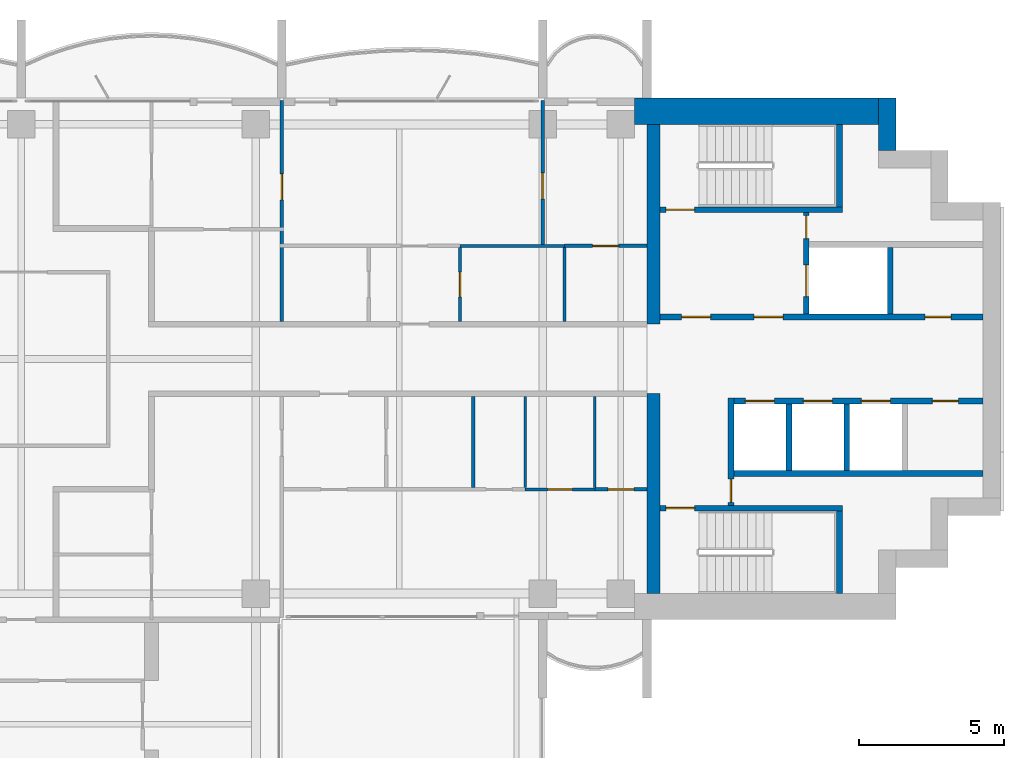
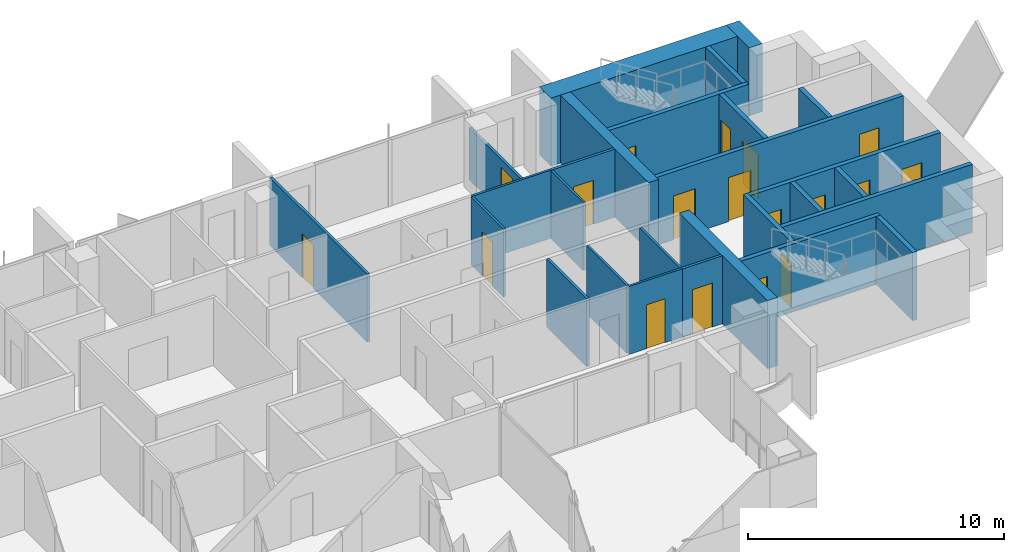
# One storey, part 12 of 17: 27 walls, 18 doors, 18 openings.
"""IFC4 building model written with IfcOpenShell, lengths in metres."""

from ifc_helpers import new_model, si_unit, direction, frame, frame_2d, origin, place, context, subcontext, project, spatial, rectangle, extrude, material, layer, layer_set, type_object, element, fill, save


model = new_model("IFC4")

# Units and contexts
model_context = context("Model", 3, precision=1e-05, world=origin(), true_north=direction((0.0, 1.0)))
body_context = subcontext(model_context, "Body", "Model", "MODEL_VIEW")
ifc_project = project(units=[si_unit("LENGTHUNIT", "METRE"), si_unit("AREAUNIT", "SQUARE_METRE"), si_unit("VOLUMEUNIT", "CUBIC_METRE"), si_unit("PLANEANGLEUNIT", "RADIAN"), si_unit("MASSUNIT", "GRAM", prefix="KILO")], contexts=[model_context])

# Site, building, storey
site_placement = place(None, origin())
site = spatial("IfcSite", under=ifc_project, at=site_placement, CompositionType="ELEMENT")
building_placement = place(site_placement, origin())
building = spatial("IfcBuilding", under=site, at=building_placement, Name="Perihelion Cross Residences", CompositionType="ELEMENT")
storey_placement = place(building_placement, frame((0.0, 0.0, 180.60009765625)))
storey = spatial("IfcBuildingStorey", under=building, at=storey_placement, Name="L44", CompositionType="ELEMENT", Elevation=180.60009765625)

# Walls
ifc_material_1 = material(Name="Concrete C60/75", Category="concrete")
ifc_layer_1 = layer(ifc_material_1, 0.449951171875)
ifc_layer_set_1 = layer_set([ifc_layer_1], Name="Core wall, inner 450")
wall_type_1 = type_object("IfcWallType", Name="Core wall, inner 450", PredefinedType="SHEAR", material=ifc_layer_set_1)
for number, where, z_axis, x_axis, name in (
    (1, (21.824951171875, -8.10009765625, 0.0), (0.0, 0.0, 1.0), (0.0, 1.0, 0.0), "East core core wall, inner"),
    (2, (21.824951171875, 1.199951171875, 0.0), (0.0, 0.0, 1.0), (0.0, 1.0, 0.0), "East core core wall, inner"),
):
    element("IfcWall", number, at=place(storey_placement, frame(where, z_axis=z_axis, x_axis=x_axis)), inside=storey, type_object=wall_type_1, Name=name, PredefinedType="SHEAR", context=body_context, shape_type="SweptSolid", body=[
        extrude(rectangle(XDim=6.900146484375, YDim=0.449951171875, at=frame_2d((3.4501953125, 0.0))), origin(), (0.0, 0.0, 1.0), 3.25),
    ])
ifc_material_2 = material(Name="Concrete C60/75", Category="concrete")
ifc_layer_2 = layer(ifc_material_2, 0.60009765625)
ifc_layer_set_2 = layer_set([ifc_layer_2], Name="Core wall, outer 600")
wall_type_2 = type_object("IfcWallType", Name="Core wall, outer 600", PredefinedType="SHEAR", material=ifc_layer_set_2)
wall_1_placement = place(storey_placement, frame((29.89990234375, 7.199951171875, 0.0), z_axis=(0.0, 0.0, 1.0), x_axis=(0.0, 1.0, 0.0)))
element("IfcWall", 3, at=wall_1_placement, inside=storey, type_object=wall_type_2, Name="East core core wall, outer", PredefinedType="SHEAR", context=body_context, shape_type="SweptSolid", body=[
    extrude(rectangle(XDim=1.800048828125, YDim=0.60009765625, at=frame_2d((0.89990234375, 0.0))), origin(), (0.0, 0.0, 1.0), 3.25),
])
ifc_material_3 = material(Name="Concrete C60/75", Category="concrete")
ifc_layer_3 = layer(ifc_material_3, 0.89990234375)
ifc_layer_set_3 = layer_set([ifc_layer_3], Name="Core wall, outer 900")
wall_type_3 = type_object("IfcWallType", Name="Core wall, outer 900", PredefinedType="SHEAR", material=ifc_layer_set_3)
wall_2_placement = place(storey_placement, frame((21.175048828125, 8.550048828125, 0.0), z_axis=(0.0, 0.0, 1.0), x_axis=(1.0, 0.0, 0.0)))
element("IfcWall", 4, at=wall_2_placement, inside=storey, type_object=wall_type_3, Name="East core core wall, outer", PredefinedType="SHEAR", context=body_context, shape_type="SweptSolid", body=[
    extrude(rectangle(XDim=8.425048828125, YDim=0.89990234375, at=frame_2d((4.21240234375, 0.0))), origin(), (0.0, 0.0, 1.0), 3.25),
])

# Wall, opening, door
ifc_material_4 = material(Name="Concrete C50/60", Category="concrete")
ifc_layer_4 = layer(ifc_material_4, 0.199951171875)
ifc_layer_set_4 = layer_set([ifc_layer_4], Name="Lobby wall 200")
wall_type_4 = type_object("IfcWallType", Name="Lobby wall 200", PredefinedType="SOLIDWALL", material=ifc_layer_set_4)
wall_3_placement = place(storey_placement, frame((24.5, -5.050048828125, 0.0), z_axis=(0.0, 0.0, 1.0), x_axis=(0.0, 1.0, 0.0)))
wall_3 = element("IfcWall", 5, at=wall_3_placement, inside=storey, type_object=wall_type_4, Name="East core lobby wall", PredefinedType="SOLIDWALL", context=body_context, shape_type="SweptSolid", body=[
    extrude(rectangle(XDim=3.699951171875, YDim=0.199951171875, at=frame_2d((1.85009765625, 0.0))), origin(), (0.0, 0.0, 1.0), 3.25),
])
opening_1_placement = place(wall_3_placement, frame((0.10009765625, 0.0, 0.0)))
opening_1 = element("IfcOpeningElement", 6, at=opening_1_placement, cuts=wall_3, Name="Opening L44.C08", PredefinedType="OPENING", context=body_context, shape_type="SweptSolid", body=[
    extrude(rectangle(XDim=0.800048828125, YDim=2.10009765625, at=frame_2d((0.39990234375, 1.050048828125))), frame((0.0, 0.10986328125, 0.0), z_axis=(0.0, -1.0, 0.0), x_axis=(1.0, 0.0, 0.0)), (0.0, 0.0, 1.0), 0.219970703125),
])
ifc_material_5 = material(Name="Steel, powder coated", Category="steel")
door_type_1 = type_object("IfcDoorType", Name="Riser door 800", OperationType="SINGLE_SWING_LEFT", PredefinedType="DOOR", material=ifc_material_5)
door_1_placement = place(opening_1_placement, origin())
door_1 = element("IfcDoor", 7, at=door_1_placement, inside=storey, type_object=door_type_1, Name="East core riser door", OperationType="SINGLE_SWING_LEFT", OverallHeight=2.10009765625, OverallWidth=0.800048828125, PredefinedType="DOOR", context=body_context, shape_type="SweptSolid", body=[
    extrude(rectangle(XDim=0.800048828125, YDim=2.10009765625, at=frame_2d((0.39990234375, 1.050048828125))), frame((0.0, 0.02490234375, 0.0), z_axis=(0.0, -1.0, 0.0), x_axis=(1.0, 0.0, 0.0)), (0.0, 0.0, 1.0), 0.050048828125),
])
fill(opening_1, door_1)

ifc_material_6 = material(Name="Plasterboard partition")
ifc_layer_5 = layer(ifc_material_6, 0.1201171875)
ifc_layer_set_5 = layer_set([ifc_layer_5], Name="Partition wall 120")
wall_type_5 = type_object("IfcWallType", Name="Partition wall 120", PredefinedType="PARTITIONING", material=ifc_layer_set_5)
wall_4_placement = place(storey_placement, frame((9.0, 1.300048828125, 0.0), z_axis=(0.0, 0.0, 1.0), x_axis=(0.0, 1.0, 0.0)))
wall_4 = element("IfcWall", 8, at=wall_4_placement, inside=storey, type_object=wall_type_5, Name="Partition L44 W024", PredefinedType="PARTITIONING", context=body_context, shape_type="SweptSolid", body=[
    extrude(rectangle(XDim=7.619873046875, YDim=0.1201171875, at=frame_2d((3.81005859375, 0.0))), origin(), (0.0, 0.0, 1.0), 3.25),
])
opening_2_placement = place(wall_4_placement, frame((4.18798828125, 0.0, 0.0)))
opening_2 = element("IfcOpeningElement", 9, at=opening_2_placement, cuts=wall_4, Name="Opening L44.A06", PredefinedType="OPENING", context=body_context, shape_type="SweptSolid", body=[
    extrude(rectangle(XDim=0.89990234375, YDim=2.10009765625, at=frame_2d((0.449951171875, 1.050048828125))), frame((0.0, 0.070068359375, 0.0), z_axis=(0.0, -1.0, 0.0), x_axis=(1.0, 0.0, 0.0)), (0.0, 0.0, 1.0), 0.14013671875),
])
ifc_material_7 = material(Name="Timber door leaf", Category="wood")
door_type_2 = type_object("IfcDoorType", Name="Interior room door 900 x 2100", OperationType="SINGLE_SWING_LEFT", PredefinedType="DOOR", material=ifc_material_7)
door_2_placement = place(opening_2_placement, origin())
door_2 = element("IfcDoor", 10, at=door_2_placement, inside=storey, type_object=door_type_2, Name="Door L44.A06", OperationType="SINGLE_SWING_RIGHT", OverallHeight=2.10009765625, OverallWidth=0.89990234375, PredefinedType="DOOR", context=body_context, shape_type="SweptSolid", body=[
    extrude(rectangle(XDim=0.89990234375, YDim=2.10009765625, at=frame_2d((0.449951171875, 1.050048828125))), frame((0.0, 0.02490234375, 0.0), z_axis=(0.0, -1.0, 0.0), x_axis=(1.0, 0.0, 0.0)), (0.0, 0.0, 1.0), 0.050048828125),
])
fill(opening_2, door_2)

wall_5_placement = place(storey_placement, frame((18.75, 3.89990234375, 0.0), z_axis=(0.0, 0.0, 1.0), x_axis=(1.0, 0.0, 0.0)))
wall_5 = element("IfcWall", 11, at=wall_5_placement, inside=storey, type_object=wall_type_5, Name="Partition L44 W028", PredefinedType="PARTITIONING", context=body_context, shape_type="SweptSolid", body=[
    extrude(rectangle(XDim=2.85009765625, YDim=0.1201171875, at=frame_2d((1.425048828125, 0.0))), origin(), (0.0, 0.0, 1.0), 3.25),
])
opening_3_placement = place(wall_5_placement, frame((0.97509765625, 0.0, 0.0)))
opening_3 = element("IfcOpeningElement", 12, at=opening_3_placement, cuts=wall_5, Name="Opening L44.A09", PredefinedType="OPENING", context=body_context, shape_type="SweptSolid", body=[
    extrude(rectangle(XDim=0.89990234375, YDim=2.10009765625, at=frame_2d((0.449951171875, 1.050048828125))), frame((0.0, 0.070068359375, 0.0), z_axis=(0.0, -1.0, 0.0), x_axis=(1.0, 0.0, 0.0)), (0.0, 0.0, 1.0), 0.14013671875),
])
door_3_placement = place(opening_3_placement, origin())
door_3 = element("IfcDoor", 13, at=door_3_placement, inside=storey, type_object=door_type_2, Name="Door L44.A09", OperationType="SINGLE_SWING_RIGHT", OverallHeight=2.10009765625, OverallWidth=0.89990234375, PredefinedType="DOOR", context=body_context, shape_type="SweptSolid", body=[
    extrude(rectangle(XDim=0.89990234375, YDim=2.10009765625, at=frame_2d((0.449951171875, 1.050048828125))), frame((0.0, 0.02490234375, 0.0), z_axis=(0.0, -1.0, 0.0), x_axis=(1.0, 0.0, 0.0)), (0.0, 0.0, 1.0), 0.050048828125),
])
fill(opening_3, door_3)

wall_6_placement = place(storey_placement, frame((18.0, 8.919921875, 0.0), z_axis=(0.0, 0.0, 1.0), x_axis=(0.0, -1.0, 0.0)))
wall_6 = element("IfcWall", 14, at=wall_6_placement, inside=storey, type_object=wall_type_5, Name="Partition L44 W029", PredefinedType="PARTITIONING", context=body_context, shape_type="SweptSolid", body=[
    extrude(rectangle(XDim=4.969970703125, YDim=0.1201171875, at=frame_2d((2.48486328125, 0.0))), origin(), (0.0, 0.0, 1.0), 2.47998046875),
])
opening_4_placement = place(wall_6_placement, frame((2.4951171875, 0.0, 0.0)))
opening_4 = element("IfcOpeningElement", 15, at=opening_4_placement, cuts=wall_6, Name="Opening L44.A02", PredefinedType="OPENING", context=body_context, shape_type="SweptSolid", body=[
    extrude(rectangle(XDim=0.89990234375, YDim=2.10009765625, at=frame_2d((0.449951171875, 1.050048828125))), frame((0.0, 0.070068359375, 0.0), z_axis=(0.0, -1.0, 0.0), x_axis=(1.0, 0.0, 0.0)), (0.0, 0.0, 1.0), 0.14013671875),
])
door_4_placement = place(opening_4_placement, origin())
door_4 = element("IfcDoor", 16, at=door_4_placement, inside=storey, type_object=door_type_2, Name="Door L44.A02", OperationType="SINGLE_SWING_LEFT", OverallHeight=2.10009765625, OverallWidth=0.89990234375, PredefinedType="DOOR", context=body_context, shape_type="SweptSolid", body=[
    extrude(rectangle(XDim=0.89990234375, YDim=2.10009765625, at=frame_2d((0.449951171875, 1.050048828125))), frame((0.0, 0.02490234375, 0.0), z_axis=(0.0, -1.0, 0.0), x_axis=(1.0, 0.0, 0.0)), (0.0, 0.0, 1.0), 0.050048828125),
])
fill(opening_4, door_4)

# Wall
wall_7_placement = place(storey_placement, frame((15.60009765625, -1.300048828125, 0.0), z_axis=(0.0, 0.0, 1.0), x_axis=(0.0, -1.0, 0.0)))
element("IfcWall", 17, at=wall_7_placement, inside=storey, type_object=wall_type_5, Name="Partition L44 W035", PredefinedType="PARTITIONING", context=body_context, shape_type="SweptSolid", body=[
    extrude(rectangle(XDim=3.139892578125, YDim=0.1201171875, at=frame_2d((1.56982421875, 0.0))), origin(), (0.0, 0.0, 1.0), 3.25),
])

# Wall, opening, door
wall_8_placement = place(storey_placement, frame((21.60009765625, -4.5, 0.0), z_axis=(0.0, 0.0, 1.0), x_axis=(-1.0, 0.0, 0.0)))
wall_8 = element("IfcWall", 18, at=wall_8_placement, inside=storey, type_object=wall_type_5, Name="Partition L44 W039", PredefinedType="PARTITIONING", context=body_context, shape_type="SweptSolid", body=[
    extrude(rectangle(XDim=1.800048828125, YDim=0.1201171875, at=frame_2d((0.89990234375, 0.0))), origin(), (0.0, 0.0, 1.0), 3.25),
])
opening_5_placement = place(wall_8_placement, frame((0.449951171875, 0.0, 0.0)))
opening_5 = element("IfcOpeningElement", 19, at=opening_5_placement, cuts=wall_8, Name="Opening L44.A11", PredefinedType="OPENING", context=body_context, shape_type="SweptSolid", body=[
    extrude(rectangle(XDim=0.89990234375, YDim=2.10009765625, at=frame_2d((0.449951171875, 1.050048828125))), frame((0.0, 0.070068359375, 0.0), z_axis=(0.0, -1.0, 0.0), x_axis=(1.0, 0.0, 0.0)), (0.0, 0.0, 1.0), 0.14013671875),
])
door_5_placement = place(opening_5_placement, origin())
door_5 = element("IfcDoor", 20, at=door_5_placement, inside=storey, type_object=door_type_2, Name="Door L44.A11", OperationType="SINGLE_SWING_LEFT", OverallHeight=2.10009765625, OverallWidth=0.89990234375, PredefinedType="DOOR", context=body_context, shape_type="SweptSolid", body=[
    extrude(rectangle(XDim=0.89990234375, YDim=2.10009765625, at=frame_2d((0.449951171875, 1.050048828125))), frame((0.0, 0.02490234375, 0.0), z_axis=(0.0, -1.0, 0.0), x_axis=(1.0, 0.0, 0.0)), (0.0, 0.0, 1.0), 0.050048828125),
])
fill(opening_5, door_5)

# Wall, openings, doors
ifc_material_8 = material(Name="Concrete C50/60", Category="concrete")
ifc_layer_6 = layer(ifc_material_8, 0.199951171875)
ifc_layer_set_6 = layer_set([ifc_layer_6], Name="Shaft wall 200")
wall_type_6 = type_object("IfcWallType", Name="Shaft wall 200", PredefinedType="SOLIDWALL", material=ifc_layer_set_6)
wall_9_placement = place(storey_placement, frame((22.050048828125, 1.449951171875, 0.0), z_axis=(0.0, 0.0, 1.0), x_axis=(1.0, 0.0, 0.0)))
wall_9 = element("IfcWall", 21, at=wall_9_placement, inside=storey, type_object=wall_type_6, Name="East core shaft wall", PredefinedType="SOLIDWALL", context=body_context, shape_type="SweptSolid", body=[
    extrude(rectangle(XDim=11.14990234375, YDim=0.199951171875, at=frame_2d((5.574951171875, 0.0))), origin(), (0.0, 0.0, 1.0), 3.25),
])
opening_6_placement = place(wall_9_placement, frame((0.75, 0.0, 0.0)))
opening_6 = element("IfcOpeningElement", 22, at=opening_6_placement, cuts=wall_9, Name="Opening L44.C07", PredefinedType="OPENING", context=body_context, shape_type="SweptSolid", body=[
    extrude(rectangle(XDim=1.0, YDim=2.10009765625, at=frame_2d((0.5, 1.050048828125))), frame((0.0, 0.10986328125, 0.0), z_axis=(0.0, -1.0, 0.0), x_axis=(1.0, 0.0, 0.0)), (0.0, 0.0, 1.0), 0.219970703125),
])
opening_7_placement = place(wall_9_placement, frame((3.25, 0.0, 0.0)))
opening_7 = element("IfcOpeningElement", 23, at=opening_7_placement, cuts=wall_9, Name="Opening L44.C09", PredefinedType="OPENING", context=body_context, shape_type="SweptSolid", body=[
    extrude(rectangle(XDim=1.0, YDim=2.10009765625, at=frame_2d((0.5, 1.050048828125))), frame((0.0, 0.10986328125, 0.0), z_axis=(0.0, -1.0, 0.0), x_axis=(1.0, 0.0, 0.0)), (0.0, 0.0, 1.0), 0.219970703125),
])
opening_8_placement = place(wall_9_placement, frame((9.14990234375, 0.0, 0.0)))
opening_8 = element("IfcOpeningElement", 24, at=opening_8_placement, cuts=wall_9, Name="Opening L44.C11", PredefinedType="OPENING", context=body_context, shape_type="SweptSolid", body=[
    extrude(rectangle(XDim=0.89990234375, YDim=2.10009765625, at=frame_2d((0.449951171875, 1.050048828125))), frame((0.0, 0.10986328125, 0.0), z_axis=(0.0, -1.0, 0.0), x_axis=(1.0, 0.0, 0.0)), (0.0, 0.0, 1.0), 0.219970703125),
])
ifc_material_9 = material(Name="Steel, powder coated", Category="steel")
door_type_3 = type_object("IfcDoorType", Name="Lobby door 1000", OperationType="SINGLE_SWING_LEFT", PredefinedType="DOOR", material=ifc_material_9)
door_6_placement = place(opening_6_placement, origin())
door_6 = element("IfcDoor", 25, at=door_6_placement, inside=storey, type_object=door_type_3, Name="East core firefighting lobby door", OperationType="SINGLE_SWING_LEFT", OverallHeight=2.10009765625, OverallWidth=1.0, PredefinedType="DOOR", context=body_context, shape_type="SweptSolid", body=[
    extrude(rectangle(XDim=1.0, YDim=2.10009765625, at=frame_2d((0.5, 1.050048828125))), frame((0.0, 0.02490234375, 0.0), z_axis=(0.0, -1.0, 0.0), x_axis=(1.0, 0.0, 0.0)), (0.0, 0.0, 1.0), 0.050048828125),
])
fill(opening_6, door_6)
door_7_placement = place(opening_7_placement, origin())
door_7 = element("IfcDoor", 26, at=door_7_placement, inside=storey, type_object=door_type_3, Name="East core firefighting lobby door", OperationType="SINGLE_SWING_LEFT", OverallHeight=2.10009765625, OverallWidth=1.0, PredefinedType="DOOR", context=body_context, shape_type="SweptSolid", body=[
    extrude(rectangle(XDim=1.0, YDim=2.10009765625, at=frame_2d((0.5, 1.050048828125))), frame((0.0, 0.02490234375, 0.0), z_axis=(0.0, -1.0, 0.0), x_axis=(1.0, 0.0, 0.0)), (0.0, 0.0, 1.0), 0.050048828125),
])
fill(opening_7, door_7)
ifc_material_10 = material(Name="Steel, powder coated", Category="steel")
door_type_4 = type_object("IfcDoorType", Name="Service room door 900", OperationType="SINGLE_SWING_LEFT", PredefinedType="DOOR", material=ifc_material_10)
door_8_placement = place(opening_8_placement, origin())
door_8 = element("IfcDoor", 27, at=door_8_placement, inside=storey, type_object=door_type_4, Name="East core service room door", OperationType="SINGLE_SWING_LEFT", OverallHeight=2.10009765625, OverallWidth=0.89990234375, PredefinedType="DOOR", context=body_context, shape_type="SweptSolid", body=[
    extrude(rectangle(XDim=0.89990234375, YDim=2.10009765625, at=frame_2d((0.449951171875, 1.050048828125))), frame((0.0, 0.02490234375, 0.0), z_axis=(0.0, -1.0, 0.0), x_axis=(1.0, 0.0, 0.0)), (0.0, 0.0, 1.0), 0.050048828125),
])
fill(opening_8, door_8)

wall_10_placement = place(storey_placement, frame((24.60009765625, -1.449951171875, 0.0), z_axis=(0.0, 0.0, 1.0), x_axis=(1.0, 0.0, 0.0)))
wall_10 = element("IfcWall", 28, at=wall_10_placement, inside=storey, type_object=wall_type_6, Name="East core shaft wall", PredefinedType="SOLIDWALL", context=body_context, shape_type="SweptSolid", body=[
    extrude(rectangle(XDim=8.599853515625, YDim=0.199951171875, at=frame_2d((4.2998046875, 0.0))), origin(), (0.0, 0.0, 1.0), 3.25),
])
opening_9_placement = place(wall_10_placement, frame((0.39990234375, 0.0, 0.0)))
opening_9 = element("IfcOpeningElement", 29, at=opening_9_placement, cuts=wall_10, Name="Opening L44.C01", PredefinedType="OPENING", context=body_context, shape_type="SweptSolid", body=[
    extrude(rectangle(XDim=1.0, YDim=2.10009765625, at=frame_2d((0.5, 1.050048828125))), frame((0.0, 0.10986328125, 0.0), z_axis=(0.0, -1.0, 0.0), x_axis=(1.0, 0.0, 0.0)), (0.0, 0.0, 1.0), 0.219970703125),
])
opening_10_placement = place(wall_10_placement, frame((2.39990234375, 0.0, 0.0)))
opening_10 = element("IfcOpeningElement", 30, at=opening_10_placement, cuts=wall_10, Name="Opening L44.C03", PredefinedType="OPENING", context=body_context, shape_type="SweptSolid", body=[
    extrude(rectangle(XDim=1.0, YDim=2.10009765625, at=frame_2d((0.5, 1.050048828125))), frame((0.0, 0.10986328125, 0.0), z_axis=(0.0, -1.0, 0.0), x_axis=(1.0, 0.0, 0.0)), (0.0, 0.0, 1.0), 0.219970703125),
])
opening_11_placement = place(wall_10_placement, frame((4.39990234375, 0.0, 0.0)))
opening_11 = element("IfcOpeningElement", 31, at=opening_11_placement, cuts=wall_10, Name="Opening L44.C04", PredefinedType="OPENING", context=body_context, shape_type="SweptSolid", body=[
    extrude(rectangle(XDim=1.0, YDim=2.10009765625, at=frame_2d((0.5, 1.050048828125))), frame((0.0, 0.10986328125, 0.0), z_axis=(0.0, -1.0, 0.0), x_axis=(1.0, 0.0, 0.0)), (0.0, 0.0, 1.0), 0.219970703125),
])
opening_12_placement = place(wall_10_placement, frame((6.85009765625, 0.0, 0.0)))
opening_12 = element("IfcOpeningElement", 32, at=opening_12_placement, cuts=wall_10, Name="Opening L44.C12", PredefinedType="OPENING", context=body_context, shape_type="SweptSolid", body=[
    extrude(rectangle(XDim=0.89990234375, YDim=2.10009765625, at=frame_2d((0.449951171875, 1.050048828125))), frame((0.0, 0.10986328125, 0.0), z_axis=(0.0, -1.0, 0.0), x_axis=(1.0, 0.0, 0.0)), (0.0, 0.0, 1.0), 0.219970703125),
])
ifc_material_11 = material(Name="Stainless steel", Category="steel")
door_type_5 = type_object("IfcDoorType", Name="Landing door 1000", OperationType="DOUBLE_DOOR_SLIDING", PredefinedType="DOOR", material=ifc_material_11)
door_9_placement = place(opening_9_placement, origin())
door_9 = element("IfcDoor", 33, at=door_9_placement, inside=storey, type_object=door_type_5, Name="Landing door, East core high-rise lift 1", OperationType="DOUBLE_DOOR_SLIDING", OverallHeight=2.10009765625, OverallWidth=1.0, PredefinedType="DOOR", context=body_context, shape_type="SweptSolid", body=[
    extrude(rectangle(XDim=1.0, YDim=2.10009765625, at=frame_2d((0.5, 1.050048828125))), frame((0.0, 0.02490234375, 0.0), z_axis=(0.0, -1.0, 0.0), x_axis=(1.0, 0.0, 0.0)), (0.0, 0.0, 1.0), 0.050048828125),
])
fill(opening_9, door_9)
door_10_placement = place(opening_10_placement, origin())
door_10 = element("IfcDoor", 34, at=door_10_placement, inside=storey, type_object=door_type_5, Name="Landing door, East core high-rise lift 2", OperationType="DOUBLE_DOOR_SLIDING", OverallHeight=2.10009765625, OverallWidth=1.0, PredefinedType="DOOR", context=body_context, shape_type="SweptSolid", body=[
    extrude(rectangle(XDim=1.0, YDim=2.10009765625, at=frame_2d((0.5, 1.050048828125))), frame((0.0, 0.02490234375, 0.0), z_axis=(0.0, -1.0, 0.0), x_axis=(1.0, 0.0, 0.0)), (0.0, 0.0, 1.0), 0.050048828125),
])
fill(opening_10, door_10)
door_11_placement = place(opening_11_placement, origin())
door_11 = element("IfcDoor", 35, at=door_11_placement, inside=storey, type_object=door_type_5, Name="Landing door, East core high-rise lift 3", OperationType="DOUBLE_DOOR_SLIDING", OverallHeight=2.10009765625, OverallWidth=1.0, PredefinedType="DOOR", context=body_context, shape_type="SweptSolid", body=[
    extrude(rectangle(XDim=1.0, YDim=2.10009765625, at=frame_2d((0.5, 1.050048828125))), frame((0.0, 0.02490234375, 0.0), z_axis=(0.0, -1.0, 0.0), x_axis=(1.0, 0.0, 0.0)), (0.0, 0.0, 1.0), 0.050048828125),
])
fill(opening_11, door_11)
door_12_placement = place(opening_12_placement, origin())
door_12 = element("IfcDoor", 36, at=door_12_placement, inside=storey, type_object=door_type_4, Name="East core service room door", OperationType="SINGLE_SWING_LEFT", OverallHeight=2.10009765625, OverallWidth=0.89990234375, PredefinedType="DOOR", context=body_context, shape_type="SweptSolid", body=[
    extrude(rectangle(XDim=0.89990234375, YDim=2.10009765625, at=frame_2d((0.449951171875, 1.050048828125))), frame((0.0, 0.02490234375, 0.0), z_axis=(0.0, -1.0, 0.0), x_axis=(1.0, 0.0, 0.0)), (0.0, 0.0, 1.0), 0.050048828125),
])
fill(opening_12, door_12)

# Wall
wall_11_placement = place(storey_placement, frame((24.60009765625, -3.949951171875, 0.0), z_axis=(0.0, 0.0, 1.0), x_axis=(1.0, 0.0, 0.0)))
element("IfcWall", 37, at=wall_11_placement, inside=storey, type_object=wall_type_6, Name="East core shaft wall", PredefinedType="SOLIDWALL", context=body_context, shape_type="SweptSolid", body=[
    extrude(rectangle(XDim=8.599853515625, YDim=0.199951171875, at=frame_2d((4.2998046875, 0.0))), origin(), (0.0, 0.0, 1.0), 3.25),
])

# Wall, openings, doors
wall_12_placement = place(storey_placement, frame((27.10009765625, 1.550048828125, 0.0), z_axis=(0.0, 0.0, 1.0), x_axis=(0.0, 1.0, 0.0)))
wall_12 = element("IfcWall", 38, at=wall_12_placement, inside=storey, type_object=wall_type_6, Name="East core shaft wall", PredefinedType="SOLIDWALL", context=body_context, shape_type="SweptSolid", body=[
    extrude(rectangle(XDim=3.5, YDim=0.199951171875, at=frame_2d((1.75, 0.0))), origin(), (0.0, 0.0, 1.0), 3.25),
])
opening_13_placement = place(wall_12_placement, frame((0.60009765625, 0.0, 0.0)))
opening_13 = element("IfcOpeningElement", 39, at=opening_13_placement, cuts=wall_12, Name="Opening L44.C02", PredefinedType="OPENING", context=body_context, shape_type="SweptSolid", body=[
    extrude(rectangle(XDim=1.10009765625, YDim=2.10009765625, at=frame_2d((0.550048828125, 1.050048828125))), frame((0.0, 0.10986328125, 0.0), z_axis=(0.0, -1.0, 0.0), x_axis=(1.0, 0.0, 0.0)), (0.0, 0.0, 1.0), 0.219970703125),
])
opening_14_placement = place(wall_12_placement, frame((2.60009765625, 0.0, 0.0)))
opening_14 = element("IfcOpeningElement", 40, at=opening_14_placement, cuts=wall_12, Name="Opening L44.C10", PredefinedType="OPENING", context=body_context, shape_type="SweptSolid", body=[
    extrude(rectangle(XDim=0.800048828125, YDim=2.10009765625, at=frame_2d((0.39990234375, 1.050048828125))), frame((0.0, 0.10986328125, 0.0), z_axis=(0.0, -1.0, 0.0), x_axis=(1.0, 0.0, 0.0)), (0.0, 0.0, 1.0), 0.219970703125),
])
ifc_material_12 = material(Name="Stainless steel", Category="steel")
door_type_6 = type_object("IfcDoorType", Name="Landing door, firefighting lift 1100", OperationType="DOUBLE_DOOR_SLIDING", PredefinedType="DOOR", material=ifc_material_12)
door_13_placement = place(opening_13_placement, origin())
door_13 = element("IfcDoor", 41, at=door_13_placement, inside=storey, type_object=door_type_6, Name="Landing door, East core firefighting and service lift", OperationType="DOUBLE_DOOR_SLIDING", OverallHeight=2.10009765625, OverallWidth=1.10009765625, PredefinedType="DOOR", context=body_context, shape_type="SweptSolid", body=[
    extrude(rectangle(XDim=1.10009765625, YDim=2.10009765625, at=frame_2d((0.550048828125, 1.050048828125))), frame((0.0, 0.02490234375, 0.0), z_axis=(0.0, -1.0, 0.0), x_axis=(1.0, 0.0, 0.0)), (0.0, 0.0, 1.0), 0.050048828125),
])
fill(opening_13, door_13)
door_14_placement = place(opening_14_placement, origin())
door_14 = element("IfcDoor", 42, at=door_14_placement, inside=storey, type_object=door_type_1, Name="East core riser door", OperationType="SINGLE_SWING_LEFT", OverallHeight=2.10009765625, OverallWidth=0.800048828125, PredefinedType="DOOR", context=body_context, shape_type="SweptSolid", body=[
    extrude(rectangle(XDim=0.800048828125, YDim=2.10009765625, at=frame_2d((0.39990234375, 1.050048828125))), frame((0.0, 0.02490234375, 0.0), z_axis=(0.0, -1.0, 0.0), x_axis=(1.0, 0.0, 0.0)), (0.0, 0.0, 1.0), 0.050048828125),
])
fill(opening_14, door_14)

# Walls
for number, where, z_axis, x_axis, name in (
    (43, (30.0, 1.550048828125, 0.0), (0.0, 0.0, 1.0), (0.0, 1.0, 0.0), "East core shaft wall"),
    (44, (26.5, -3.85009765625, 0.0), (0.0, 0.0, 1.0), (0.0, 1.0, 0.0), "East core shaft wall"),
    (45, (28.5, -3.85009765625, 0.0), (0.0, 0.0, 1.0), (0.0, 1.0, 0.0), "East core shaft wall"),
):
    element("IfcWall", number, at=place(storey_placement, frame(where, z_axis=z_axis, x_axis=x_axis)), inside=storey, type_object=wall_type_6, Name=name, PredefinedType="SOLIDWALL", context=body_context, shape_type="SweptSolid", body=[
        extrude(rectangle(XDim=2.300048828125, YDim=0.199951171875, at=frame_2d((1.14990234375, 0.0))), origin(), (0.0, 0.0, 1.0), 3.25),
    ])

# Wall, opening, door
ifc_material_13 = material(Name="Concrete C50/60", Category="concrete")
ifc_layer_7 = layer(ifc_material_13, 0.199951171875)
ifc_layer_set_7 = layer_set([ifc_layer_7], Name="Stair wall 200")
wall_type_7 = type_object("IfcWallType", Name="Stair wall 200", PredefinedType="SOLIDWALL", material=ifc_layer_set_7)
wall_13_placement = place(storey_placement, frame((22.050048828125, 5.14990234375, 0.0), z_axis=(0.0, 0.0, 1.0), x_axis=(1.0, 0.0, 0.0)))
wall_13 = element("IfcWall", 46, at=wall_13_placement, inside=storey, type_object=wall_type_7, Name="East core stair wall", PredefinedType="SOLIDWALL", context=body_context, shape_type="SweptSolid", body=[
    extrude(rectangle(XDim=6.300048828125, YDim=0.199951171875, at=frame_2d((3.14990234375, 0.0))), origin(), (0.0, 0.0, 1.0), 3.25),
])
opening_15_placement = place(wall_13_placement, frame((0.199951171875, 0.0, 0.0)))
opening_15 = element("IfcOpeningElement", 47, at=opening_15_placement, cuts=wall_13, Name="Opening L44.C06", PredefinedType="OPENING", context=body_context, shape_type="SweptSolid", body=[
    extrude(rectangle(XDim=1.0, YDim=2.10009765625, at=frame_2d((0.5, 1.050048828125))), frame((0.0, 0.10986328125, 0.0), z_axis=(0.0, -1.0, 0.0), x_axis=(1.0, 0.0, 0.0)), (0.0, 0.0, 1.0), 0.219970703125),
])
ifc_material_14 = material(Name="Steel, powder coated", Category="steel")
door_type_7 = type_object("IfcDoorType", Name="Stair door 1000", OperationType="SINGLE_SWING_LEFT", PredefinedType="DOOR", material=ifc_material_14)
door_15_placement = place(opening_15_placement, origin())
door_15 = element("IfcDoor", 48, at=door_15_placement, inside=storey, type_object=door_type_7, Name="East core stair door", OperationType="SINGLE_SWING_LEFT", OverallHeight=2.10009765625, OverallWidth=1.0, PredefinedType="DOOR", context=body_context, shape_type="SweptSolid", body=[
    extrude(rectangle(XDim=1.0, YDim=2.10009765625, at=frame_2d((0.5, 1.050048828125))), frame((0.0, 0.02490234375, 0.0), z_axis=(0.0, -1.0, 0.0), x_axis=(1.0, 0.0, 0.0)), (0.0, 0.0, 1.0), 0.050048828125),
])
fill(opening_15, door_15)

wall_14_placement = place(storey_placement, frame((22.050048828125, -5.14990234375, 0.0), z_axis=(0.0, 0.0, 1.0), x_axis=(1.0, 0.0, 0.0)))
wall_14 = element("IfcWall", 49, at=wall_14_placement, inside=storey, type_object=wall_type_7, Name="East core stair wall", PredefinedType="SOLIDWALL", context=body_context, shape_type="SweptSolid", body=[
    extrude(rectangle(XDim=6.300048828125, YDim=0.199951171875, at=frame_2d((3.14990234375, 0.0))), origin(), (0.0, 0.0, 1.0), 3.25),
])
opening_16_placement = place(wall_14_placement, frame((0.199951171875, 0.0, 0.0)))
opening_16 = element("IfcOpeningElement", 50, at=opening_16_placement, cuts=wall_14, Name="Opening L44.C05", PredefinedType="OPENING", context=body_context, shape_type="SweptSolid", body=[
    extrude(rectangle(XDim=1.0, YDim=2.10009765625, at=frame_2d((0.5, 1.050048828125))), frame((0.0, 0.10986328125, 0.0), z_axis=(0.0, -1.0, 0.0), x_axis=(1.0, 0.0, 0.0)), (0.0, 0.0, 1.0), 0.219970703125),
])
door_16_placement = place(opening_16_placement, origin())
door_16 = element("IfcDoor", 51, at=door_16_placement, inside=storey, type_object=door_type_7, Name="East core stair door", OperationType="SINGLE_SWING_LEFT", OverallHeight=2.10009765625, OverallWidth=1.0, PredefinedType="DOOR", context=body_context, shape_type="SweptSolid", body=[
    extrude(rectangle(XDim=1.0, YDim=2.10009765625, at=frame_2d((0.5, 1.050048828125))), frame((0.0, 0.02490234375, 0.0), z_axis=(0.0, -1.0, 0.0), x_axis=(1.0, 0.0, 0.0)), (0.0, 0.0, 1.0), 0.050048828125),
])
fill(opening_16, door_16)

# Walls
for number, where, z_axis, x_axis, name in (
    (52, (28.25, 5.25, 0.0), (0.0, 0.0, 1.0), (0.0, 1.0, 0.0), "East core stair wall"),
    (53, (28.25, -8.10009765625, 0.0), (0.0, 0.0, 1.0), (0.0, 1.0, 0.0), "East core stair wall"),
):
    element("IfcWall", number, at=place(storey_placement, frame(where, z_axis=z_axis, x_axis=x_axis)), inside=storey, type_object=wall_type_7, Name=name, PredefinedType="SOLIDWALL", context=body_context, shape_type="SweptSolid", body=[
        extrude(rectangle(XDim=2.85009765625, YDim=0.199951171875, at=frame_2d((1.425048828125, 0.0))), origin(), (0.0, 0.0, 1.0), 3.25),
    ])

# Wall, opening, door
ifc_material_15 = material(Name="Plasterboard partition")
ifc_layer_8 = layer(ifc_material_15, 0.10009765625)
ifc_layer_set_8 = layer_set([ifc_layer_8], Name="Wet room wall 100")
wall_type_8 = type_object("IfcWallType", Name="Wet room wall 100", PredefinedType="PARTITIONING", material=ifc_layer_set_8)
wall_15_placement = place(storey_placement, frame((15.14990234375, 3.840087890625, 0.0), z_axis=(0.0, 0.0, 1.0), x_axis=(0.0, -1.0, 0.0)))
wall_15 = element("IfcWall", 54, at=wall_15_placement, inside=storey, type_object=wall_type_8, Name="Partition L44 W025", PredefinedType="PARTITIONING", context=body_context, shape_type="SweptSolid", body=[
    extrude(rectangle(XDim=2.5400390625, YDim=0.10009765625, at=frame_2d((1.27001953125, 0.0))), origin(), (0.0, 0.0, 1.0), 3.25),
])
opening_17_placement = place(wall_15_placement, frame((0.844970703125, 0.0, 0.0)))
opening_17 = element("IfcOpeningElement", 55, at=opening_17_placement, cuts=wall_15, Name="Opening L44.A07", PredefinedType="OPENING", context=body_context, shape_type="SweptSolid", body=[
    extrude(rectangle(XDim=0.85009765625, YDim=2.10009765625, at=frame_2d((0.425048828125, 1.050048828125))), frame((0.0, 0.06005859375, 0.0), z_axis=(0.0, -1.0, 0.0), x_axis=(1.0, 0.0, 0.0)), (0.0, 0.0, 1.0), 0.1201171875),
])
ifc_material_16 = material(Name="Timber door leaf", Category="wood")
door_type_8 = type_object("IfcDoorType", Name="Interior bathroom door 850 x 2100", OperationType="SINGLE_SWING_LEFT", PredefinedType="DOOR", material=ifc_material_16)
door_17_placement = place(opening_17_placement, origin())
door_17 = element("IfcDoor", 56, at=door_17_placement, inside=storey, type_object=door_type_8, Name="Door L44.A07", OperationType="SINGLE_SWING_RIGHT", OverallHeight=2.10009765625, OverallWidth=0.85009765625, PredefinedType="DOOR", context=body_context, shape_type="SweptSolid", body=[
    extrude(rectangle(XDim=0.85009765625, YDim=2.10009765625, at=frame_2d((0.425048828125, 1.050048828125))), frame((0.0, 0.02490234375, 0.0), z_axis=(0.0, -1.0, 0.0), x_axis=(1.0, 0.0, 0.0)), (0.0, 0.0, 1.0), 0.050048828125),
])
fill(opening_17, door_17)

# Walls
wall_16_placement = place(storey_placement, frame((18.75, 3.840087890625, 0.0), z_axis=(0.0, 0.0, 1.0), x_axis=(0.0, -1.0, 0.0)))
element("IfcWall", 57, at=wall_16_placement, inside=storey, type_object=wall_type_8, Name="Partition L44 W026", PredefinedType="PARTITIONING", context=body_context, shape_type="SweptSolid", body=[
    extrude(rectangle(XDim=2.5400390625, YDim=0.10009765625, at=frame_2d((1.27001953125, 0.0))), origin(), (0.0, 0.0, 1.0), 3.25),
])
wall_17_placement = place(storey_placement, frame((15.14990234375, 3.89990234375, 0.0), z_axis=(0.0, 0.0, 1.0), x_axis=(1.0, 0.0, 0.0)))
element("IfcWall", 58, at=wall_17_placement, inside=storey, type_object=wall_type_8, Name="Partition L44 W027", PredefinedType="PARTITIONING", context=body_context, shape_type="SweptSolid", body=[
    extrude(rectangle(XDim=3.60009765625, YDim=0.10009765625, at=frame_2d((1.800048828125, 0.0))), origin(), (0.0, 0.0, 1.0), 3.25),
])
for number, where, z_axis, x_axis, name in (
    (59, (17.39990234375, -1.300048828125, 0.0), (0.0, 0.0, 1.0), (0.0, -1.0, 0.0), "Partition L44 W036"),
    (60, (19.800048828125, -1.300048828125, 0.0), (0.0, 0.0, 1.0), (0.0, -1.0, 0.0), "Partition L44 W037"),
):
    element("IfcWall", number, at=place(storey_placement, frame(where, z_axis=z_axis, x_axis=x_axis)), inside=storey, type_object=wall_type_8, Name=name, PredefinedType="PARTITIONING", context=body_context, shape_type="SweptSolid", body=[
        extrude(rectangle(XDim=3.139892578125, YDim=0.10009765625, at=frame_2d((1.56982421875, 0.0))), origin(), (0.0, 0.0, 1.0), 3.25),
    ])

# Wall, opening, door
wall_18_placement = place(storey_placement, frame((19.800048828125, -4.5, 0.0), z_axis=(0.0, 0.0, 1.0), x_axis=(-1.0, 0.0, 0.0)))
wall_18 = element("IfcWall", 61, at=wall_18_placement, inside=storey, type_object=wall_type_8, Name="Partition L44 W038", PredefinedType="PARTITIONING", context=body_context, shape_type="SweptSolid", body=[
    extrude(rectangle(XDim=2.400146484375, YDim=0.10009765625, at=frame_2d((1.2001953125, 0.0))), origin(), (0.0, 0.0, 1.0), 3.25),
])
opening_18_placement = place(wall_18_placement, frame((0.77490234375, 0.0, 0.0)))
opening_18 = element("IfcOpeningElement", 62, at=opening_18_placement, cuts=wall_18, Name="Opening L44.A10", PredefinedType="OPENING", context=body_context, shape_type="SweptSolid", body=[
    extrude(rectangle(XDim=0.85009765625, YDim=2.10009765625, at=frame_2d((0.425048828125, 1.050048828125))), frame((0.0, 0.06005859375, 0.0), z_axis=(0.0, -1.0, 0.0), x_axis=(1.0, 0.0, 0.0)), (0.0, 0.0, 1.0), 0.1201171875),
])
door_18_placement = place(opening_18_placement, origin())
door_18 = element("IfcDoor", 63, at=door_18_placement, inside=storey, type_object=door_type_8, Name="Door L44.A10", OperationType="SINGLE_SWING_RIGHT", OverallHeight=2.10009765625, OverallWidth=0.85009765625, PredefinedType="DOOR", context=body_context, shape_type="SweptSolid", body=[
    extrude(rectangle(XDim=0.85009765625, YDim=2.10009765625, at=frame_2d((0.425048828125, 1.050048828125))), frame((0.0, 0.02490234375, 0.0), z_axis=(0.0, -1.0, 0.0), x_axis=(1.0, 0.0, 0.0)), (0.0, 0.0, 1.0), 0.050048828125),
])
fill(opening_18, door_18)

save(model, "model.ifc")
